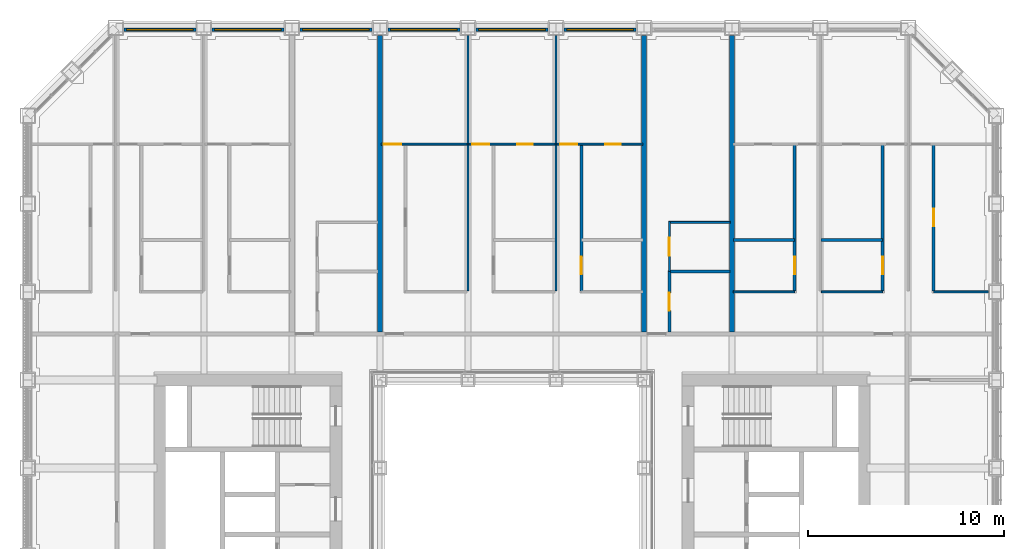
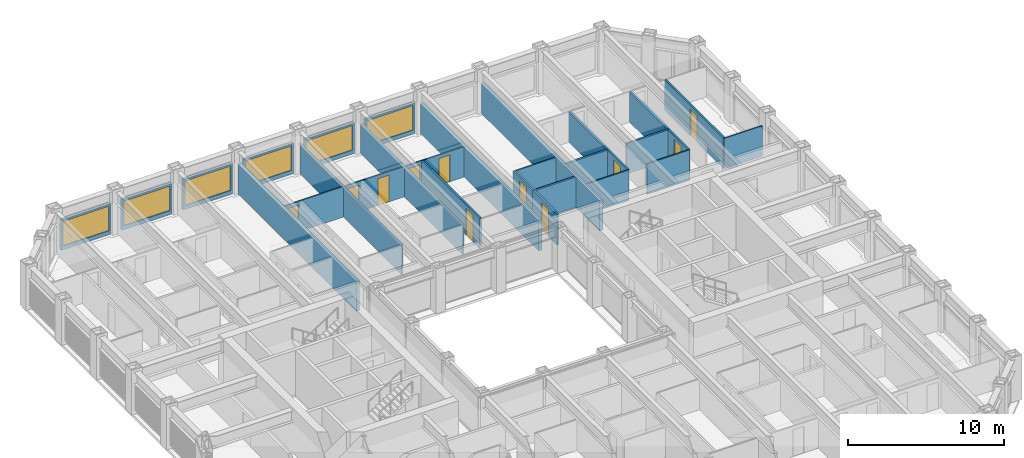
# One storey, part 14 of 20: 27 walls, 11 doors, 6 windows, 17 openings.
"""IFC4 building model written with IfcOpenShell, lengths in metres."""

from ifc_helpers import new_model, si_unit, direction, frame, frame_2d, origin, place, context, subcontext, project, spatial, rectangle, extrude, material, layer, layer_set, type_object, element, fill, save


model = new_model("IFC4")

# Units and contexts
model_context = context("Model", 3, precision=1e-05, world=origin(), true_north=direction((0.0, 1.0)))
body_context = subcontext(model_context, "Body", "Model", "MODEL_VIEW")
ifc_project = project(units=[si_unit("LENGTHUNIT", "METRE"), si_unit("AREAUNIT", "SQUARE_METRE"), si_unit("VOLUMEUNIT", "CUBIC_METRE"), si_unit("PLANEANGLEUNIT", "RADIAN"), si_unit("MASSUNIT", "GRAM", prefix="KILO")], contexts=[model_context])

# Site, building, storey
site_placement = place(None, origin())
site = spatial("IfcSite", under=ifc_project, at=site_placement, CompositionType="ELEMENT")
building_placement = place(site_placement, origin())
building = spatial("IfcBuilding", under=site, at=building_placement, Name="Msasa Ring Tower", CompositionType="ELEMENT")
storey_placement = place(building_placement, frame((0.0, 0.0, 61.5)))
storey = spatial("IfcBuildingStorey", under=building, at=storey_placement, Name="L15", CompositionType="ELEMENT", Elevation=61.5)

# Wall, opening, window
ifc_material_1 = material(Name="Terracotta rainscreen on blockwork", Category="masonry")
ifc_layer_1 = layer(ifc_material_1, 0.199951171875)
ifc_layer_set_1 = layer_set([ifc_layer_1], Name="FW1 TERRACOTTA-LINED INFILL BAY WALL 200")
wall_type_1 = type_object("IfcWallType", Name="FW1 TERRACOTTA-LINED INFILL BAY WALL 200", PredefinedType="SOLIDWALL", material=ifc_layer_set_1)
wall_1_placement = place(storey_placement, frame((-19.844970703125, 24.64990234375, 0.0), z_axis=(0.0, 0.0, 1.0), x_axis=(1.0, 0.0, 0.0)))
wall_1 = element("IfcWall", 1, at=wall_1_placement, inside=storey, type_object=wall_type_1, Name="Infill bay wall N L15 22", PredefinedType="SOLIDWALL", context=body_context, shape_type="SweptSolid", body=[
    extrude(rectangle(XDim=3.68994140625, YDim=0.199951171875, at=frame_2d((1.844970703125, 0.0))), origin(), (0.0, 0.0, 1.0), 2.37890625),
])
opening_1_placement = place(wall_1_placement, frame((0.14501953125, 0.0, 0.300048828125)))
opening_1 = element("IfcOpeningElement", 2, at=opening_1_placement, cuts=wall_1, Name="Opening WN1", PredefinedType="OPENING", context=body_context, shape_type="SweptSolid", body=[
    extrude(rectangle(XDim=3.39990234375, YDim=1.928955078125, at=frame_2d((1.699951171875, 0.96435546875))), frame((0.0, 0.10986328125, 0.0), z_axis=(0.0, -1.0, 0.0), x_axis=(1.0, 0.0, 0.0)), (0.0, 0.0, 1.0), 0.219970703125),
])
ifc_material_2 = material(Name="Aluminium frame with clear glass", Category="aluminium")
window_type = type_object("IfcWindowType", Name="WN1 RESIDENCE WINDOW 3400x1929", PartitioningType="SINGLE_PANEL", PredefinedType="WINDOW", material=ifc_material_2)
window_1_placement = place(opening_1_placement, origin())
window_1 = element("IfcWindow", 3, at=window_1_placement, inside=storey, type_object=window_type, Name="Window N L15 22", OverallHeight=1.928955078125, OverallWidth=3.39990234375, PartitioningType="SINGLE_PANEL", PredefinedType="WINDOW", context=body_context, shape_type="SweptSolid", body=[
    extrude(rectangle(XDim=3.39990234375, YDim=1.928955078125, at=frame_2d((1.699951171875, 0.96435546875))), frame((0.0, 0.030029296875, 0.0), z_axis=(0.0, -1.0, 0.0), x_axis=(1.0, 0.0, 0.0)), (0.0, 0.0, 1.0), 0.06005859375),
])
fill(opening_1, window_1)

wall_2_placement = place(storey_placement, frame((-15.344970703125, 24.64990234375, 0.0), z_axis=(0.0, 0.0, 1.0), x_axis=(1.0, 0.0, 0.0)))
wall_2 = element("IfcWall", 4, at=wall_2_placement, inside=storey, type_object=wall_type_1, Name="Infill bay wall N L15 23", PredefinedType="SOLIDWALL", context=body_context, shape_type="SweptSolid", body=[
    extrude(rectangle(XDim=3.68994140625, YDim=0.199951171875, at=frame_2d((1.844970703125, 0.0))), origin(), (0.0, 0.0, 1.0), 2.37890625),
])
opening_2_placement = place(wall_2_placement, frame((0.14501953125, 0.0, 0.300048828125)))
opening_2 = element("IfcOpeningElement", 5, at=opening_2_placement, cuts=wall_2, Name="Opening WN1", PredefinedType="OPENING", context=body_context, shape_type="SweptSolid", body=[
    extrude(rectangle(XDim=3.39990234375, YDim=1.928955078125, at=frame_2d((1.699951171875, 0.96435546875))), frame((0.0, 0.10986328125, 0.0), z_axis=(0.0, -1.0, 0.0), x_axis=(1.0, 0.0, 0.0)), (0.0, 0.0, 1.0), 0.219970703125),
])
window_2_placement = place(opening_2_placement, origin())
window_2 = element("IfcWindow", 6, at=window_2_placement, inside=storey, type_object=window_type, Name="Window N L15 23", OverallHeight=1.928955078125, OverallWidth=3.39990234375, PartitioningType="SINGLE_PANEL", PredefinedType="WINDOW", context=body_context, shape_type="SweptSolid", body=[
    extrude(rectangle(XDim=3.39990234375, YDim=1.928955078125, at=frame_2d((1.699951171875, 0.96435546875))), frame((0.0, 0.030029296875, 0.0), z_axis=(0.0, -1.0, 0.0), x_axis=(1.0, 0.0, 0.0)), (0.0, 0.0, 1.0), 0.06005859375),
])
fill(opening_2, window_2)

wall_3_placement = place(storey_placement, frame((-10.844970703125, 24.64990234375, 0.0), z_axis=(0.0, 0.0, 1.0), x_axis=(1.0, 0.0, 0.0)))
wall_3 = element("IfcWall", 7, at=wall_3_placement, inside=storey, type_object=wall_type_1, Name="Infill bay wall N L15 24", PredefinedType="SOLIDWALL", context=body_context, shape_type="SweptSolid", body=[
    extrude(rectangle(XDim=3.68994140625, YDim=0.199951171875, at=frame_2d((1.844970703125, 0.0))), origin(), (0.0, 0.0, 1.0), 2.37890625),
])
opening_3_placement = place(wall_3_placement, frame((0.14501953125, 0.0, 0.300048828125)))
opening_3 = element("IfcOpeningElement", 8, at=opening_3_placement, cuts=wall_3, Name="Opening WN1", PredefinedType="OPENING", context=body_context, shape_type="SweptSolid", body=[
    extrude(rectangle(XDim=3.39990234375, YDim=1.928955078125, at=frame_2d((1.699951171875, 0.96435546875))), frame((0.0, 0.10986328125, 0.0), z_axis=(0.0, -1.0, 0.0), x_axis=(1.0, 0.0, 0.0)), (0.0, 0.0, 1.0), 0.219970703125),
])
window_3_placement = place(opening_3_placement, origin())
window_3 = element("IfcWindow", 9, at=window_3_placement, inside=storey, type_object=window_type, Name="Window N L15 24", OverallHeight=1.928955078125, OverallWidth=3.39990234375, PartitioningType="SINGLE_PANEL", PredefinedType="WINDOW", context=body_context, shape_type="SweptSolid", body=[
    extrude(rectangle(XDim=3.39990234375, YDim=1.928955078125, at=frame_2d((1.699951171875, 0.96435546875))), frame((0.0, 0.030029296875, 0.0), z_axis=(0.0, -1.0, 0.0), x_axis=(1.0, 0.0, 0.0)), (0.0, 0.0, 1.0), 0.06005859375),
])
fill(opening_3, window_3)

wall_4_placement = place(storey_placement, frame((-6.344970703125, 24.64990234375, 0.0), z_axis=(0.0, 0.0, 1.0), x_axis=(1.0, 0.0, 0.0)))
wall_4 = element("IfcWall", 10, at=wall_4_placement, inside=storey, type_object=wall_type_1, Name="Infill bay wall N L15 25", PredefinedType="SOLIDWALL", context=body_context, shape_type="SweptSolid", body=[
    extrude(rectangle(XDim=3.68994140625, YDim=0.199951171875, at=frame_2d((1.844970703125, 0.0))), origin(), (0.0, 0.0, 1.0), 2.37890625),
])
opening_4_placement = place(wall_4_placement, frame((0.14501953125, 0.0, 0.300048828125)))
opening_4 = element("IfcOpeningElement", 11, at=opening_4_placement, cuts=wall_4, Name="Opening WN1", PredefinedType="OPENING", context=body_context, shape_type="SweptSolid", body=[
    extrude(rectangle(XDim=3.39990234375, YDim=1.928955078125, at=frame_2d((1.699951171875, 0.96435546875))), frame((0.0, 0.10986328125, 0.0), z_axis=(0.0, -1.0, 0.0), x_axis=(1.0, 0.0, 0.0)), (0.0, 0.0, 1.0), 0.219970703125),
])
window_4_placement = place(opening_4_placement, origin())
window_4 = element("IfcWindow", 12, at=window_4_placement, inside=storey, type_object=window_type, Name="Window N L15 25", OverallHeight=1.928955078125, OverallWidth=3.39990234375, PartitioningType="SINGLE_PANEL", PredefinedType="WINDOW", context=body_context, shape_type="SweptSolid", body=[
    extrude(rectangle(XDim=3.39990234375, YDim=1.928955078125, at=frame_2d((1.699951171875, 0.96435546875))), frame((0.0, 0.030029296875, 0.0), z_axis=(0.0, -1.0, 0.0), x_axis=(1.0, 0.0, 0.0)), (0.0, 0.0, 1.0), 0.06005859375),
])
fill(opening_4, window_4)

wall_5_placement = place(storey_placement, frame((-1.844970703125, 24.64990234375, 0.0), z_axis=(0.0, 0.0, 1.0), x_axis=(1.0, 0.0, 0.0)))
wall_5 = element("IfcWall", 13, at=wall_5_placement, inside=storey, type_object=wall_type_1, Name="Infill bay wall N L15 26", PredefinedType="SOLIDWALL", context=body_context, shape_type="SweptSolid", body=[
    extrude(rectangle(XDim=3.68994140625, YDim=0.199951171875, at=frame_2d((1.844970703125, 0.0))), origin(), (0.0, 0.0, 1.0), 2.37890625),
])
opening_5_placement = place(wall_5_placement, frame((0.14501953125, 0.0, 0.300048828125)))
opening_5 = element("IfcOpeningElement", 14, at=opening_5_placement, cuts=wall_5, Name="Opening WN1", PredefinedType="OPENING", context=body_context, shape_type="SweptSolid", body=[
    extrude(rectangle(XDim=3.39990234375, YDim=1.928955078125, at=frame_2d((1.699951171875, 0.96435546875))), frame((0.0, 0.10986328125, 0.0), z_axis=(0.0, -1.0, 0.0), x_axis=(1.0, 0.0, 0.0)), (0.0, 0.0, 1.0), 0.219970703125),
])
window_5_placement = place(opening_5_placement, origin())
window_5 = element("IfcWindow", 15, at=window_5_placement, inside=storey, type_object=window_type, Name="Window N L15 26", OverallHeight=1.928955078125, OverallWidth=3.39990234375, PartitioningType="SINGLE_PANEL", PredefinedType="WINDOW", context=body_context, shape_type="SweptSolid", body=[
    extrude(rectangle(XDim=3.39990234375, YDim=1.928955078125, at=frame_2d((1.699951171875, 0.96435546875))), frame((0.0, 0.030029296875, 0.0), z_axis=(0.0, -1.0, 0.0), x_axis=(1.0, 0.0, 0.0)), (0.0, 0.0, 1.0), 0.06005859375),
])
fill(opening_5, window_5)

wall_6_placement = place(storey_placement, frame((2.655029296875, 24.64990234375, 0.0), z_axis=(0.0, 0.0, 1.0), x_axis=(1.0, 0.0, 0.0)))
wall_6 = element("IfcWall", 16, at=wall_6_placement, inside=storey, type_object=wall_type_1, Name="Infill bay wall N L15 27", PredefinedType="SOLIDWALL", context=body_context, shape_type="SweptSolid", body=[
    extrude(rectangle(XDim=3.68994140625, YDim=0.199951171875, at=frame_2d((1.844970703125, 0.0))), origin(), (0.0, 0.0, 1.0), 2.37890625),
])
opening_6_placement = place(wall_6_placement, frame((0.14501953125, 0.0, 0.300048828125)))
opening_6 = element("IfcOpeningElement", 17, at=opening_6_placement, cuts=wall_6, Name="Opening WN1", PredefinedType="OPENING", context=body_context, shape_type="SweptSolid", body=[
    extrude(rectangle(XDim=3.39990234375, YDim=1.928955078125, at=frame_2d((1.699951171875, 0.96435546875))), frame((0.0, 0.10986328125, 0.0), z_axis=(0.0, -1.0, 0.0), x_axis=(1.0, 0.0, 0.0)), (0.0, 0.0, 1.0), 0.219970703125),
])
window_6_placement = place(opening_6_placement, origin())
window_6 = element("IfcWindow", 18, at=window_6_placement, inside=storey, type_object=window_type, Name="Window N L15 27", OverallHeight=1.928955078125, OverallWidth=3.39990234375, PartitioningType="SINGLE_PANEL", PredefinedType="WINDOW", context=body_context, shape_type="SweptSolid", body=[
    extrude(rectangle(XDim=3.39990234375, YDim=1.928955078125, at=frame_2d((1.699951171875, 0.96435546875))), frame((0.0, 0.030029296875, 0.0), z_axis=(0.0, -1.0, 0.0), x_axis=(1.0, 0.0, 0.0)), (0.0, 0.0, 1.0), 0.06005859375),
])
fill(opening_6, window_6)

# Wall, opening, door
ifc_material_3 = material(Name="Gypsum board on steel studs", Category="steel")
ifc_layer_2 = layer(ifc_material_3, 0.10009765625)
ifc_layer_set_2 = layer_set([ifc_layer_2], Name="PT2 STUD PARTITION 100")
wall_type_2 = type_object("IfcWallType", Name="PT2 STUD PARTITION 100", PredefinedType="PARTITIONING", material=ifc_layer_set_2)
wall_7_placement = place(storey_placement, frame((-6.68994140625, 18.800048828125, 0.0), z_axis=(0.0, 0.0, 1.0), x_axis=(1.0, 0.0, 0.0)))
wall_7 = element("IfcWall", 19, at=wall_7_placement, inside=storey, type_object=wall_type_2, Name="Partition L15-UN02SY0", PredefinedType="PARTITIONING", context=body_context, shape_type="SweptSolid", body=[
    extrude(rectangle(XDim=4.389892578125, YDim=0.10009765625, at=frame_2d((2.19482421875, 0.0))), origin(), (0.0, 0.0, 1.0), 2.373291015625),
])
opening_7_placement = place(wall_7_placement, frame((0.139892578125, 0.0, 0.0)))
opening_7 = element("IfcOpeningElement", 20, at=opening_7_placement, cuts=wall_7, Name="Opening RD-006", PredefinedType="OPENING", context=body_context, shape_type="SweptSolid", body=[
    extrude(rectangle(XDim=0.89990234375, YDim=2.10009765625, at=frame_2d((0.449951171875, 1.050048828125))), frame((0.0, 0.06005859375, 0.0), z_axis=(0.0, -1.0, 0.0), x_axis=(1.0, 0.0, 0.0)), (0.0, 0.0, 1.0), 0.1201171875),
])
ifc_material_4 = material(Name="Timber door leaf in a steel frame", Category="steel")
door_type_1 = type_object("IfcDoorType", Name="D22 INTERNAL HALL DOOR 900x2100", OperationType="SINGLE_SWING_LEFT", PredefinedType="DOOR", material=ifc_material_4)
door_1_placement = place(opening_7_placement, origin())
door_1 = element("IfcDoor", 21, at=door_1_placement, inside=storey, type_object=door_type_1, Name="Door L15-UN02L", OperationType="SINGLE_SWING_LEFT", OverallHeight=2.10009765625, OverallWidth=0.89990234375, PredefinedType="DOOR", context=body_context, shape_type="SweptSolid", body=[
    extrude(rectangle(XDim=0.89990234375, YDim=2.10009765625, at=frame_2d((0.449951171875, 1.050048828125))), frame((0.0, 0.02490234375, 0.0), z_axis=(0.0, -1.0, 0.0), x_axis=(1.0, 0.0, 0.0)), (0.0, 0.0, 1.0), 0.050048828125),
])
fill(opening_7, door_1)

# Wall
wall_8_placement = place(storey_placement, frame((-2.25, 11.300048828125, 0.0), z_axis=(0.0, 0.0, 1.0), x_axis=(0.0, 1.0, 0.0)))
element("IfcWall", 22, at=wall_8_placement, inside=storey, type_object=wall_type_2, Name="Partition L15-UN02P1", PredefinedType="PARTITIONING", context=body_context, shape_type="SweptSolid", body=[
    extrude(rectangle(XDim=13.050048828125, YDim=0.10009765625, at=frame_2d((6.52490234375, 0.0))), origin(), (0.0, 0.0, 1.0), 2.373291015625),
])

# Wall, openings, doors
wall_9_placement = place(storey_placement, frame((-2.199951171875, 18.800048828125, 0.0), z_axis=(0.0, 0.0, 1.0), x_axis=(1.0, 0.0, 0.0)))
wall_9 = element("IfcWall", 23, at=wall_9_placement, inside=storey, type_object=wall_type_2, Name="Partition L15-UN02SY1", PredefinedType="PARTITIONING", context=body_context, shape_type="SweptSolid", body=[
    extrude(rectangle(XDim=4.39990234375, YDim=0.10009765625, at=frame_2d((2.199951171875, 0.0))), origin(), (0.0, 0.0, 1.0), 2.373291015625),
])
opening_8_placement = place(wall_9_placement, frame((0.175048828125, 0.0, 0.0)))
opening_8 = element("IfcOpeningElement", 24, at=opening_8_placement, cuts=wall_9, Name="Opening RD-007", PredefinedType="OPENING", context=body_context, shape_type="SweptSolid", body=[
    extrude(rectangle(XDim=0.85009765625, YDim=2.10009765625, at=frame_2d((0.425048828125, 1.050048828125))), frame((0.0, 0.06005859375, 0.0), z_axis=(0.0, -1.0, 0.0), x_axis=(1.0, 0.0, 0.0)), (0.0, 0.0, 1.0), 0.1201171875),
])
opening_9_placement = place(wall_9_placement, frame((2.4599609375, 0.0, 0.0)))
opening_9 = element("IfcOpeningElement", 25, at=opening_9_placement, cuts=wall_9, Name="Opening RD-008", PredefinedType="OPENING", context=body_context, shape_type="SweptSolid", body=[
    extrude(rectangle(XDim=0.800048828125, YDim=2.10009765625, at=frame_2d((0.39990234375, 1.050048828125))), frame((0.0, 0.06005859375, 0.0), z_axis=(0.0, -1.0, 0.0), x_axis=(1.0, 0.0, 0.0)), (0.0, 0.0, 1.0), 0.1201171875),
])
ifc_material_5 = material(Name="Timber door leaf in a steel frame", Category="steel")
door_type_2 = type_object("IfcDoorType", Name="D14 BEDROOM DOOR 850x2100", OperationType="SINGLE_SWING_LEFT", PredefinedType="DOOR", material=ifc_material_5)
door_2_placement = place(opening_8_placement, origin())
door_2 = element("IfcDoor", 26, at=door_2_placement, inside=storey, type_object=door_type_2, Name="Door L15-UN02R1", OperationType="SINGLE_SWING_LEFT", OverallHeight=2.10009765625, OverallWidth=0.85009765625, PredefinedType="DOOR", context=body_context, shape_type="SweptSolid", body=[
    extrude(rectangle(XDim=0.85009765625, YDim=2.10009765625, at=frame_2d((0.425048828125, 1.050048828125))), frame((0.0, 0.02490234375, 0.0), z_axis=(0.0, -1.0, 0.0), x_axis=(1.0, 0.0, 0.0)), (0.0, 0.0, 1.0), 0.050048828125),
])
fill(opening_8, door_2)
ifc_material_6 = material(Name="Timber door leaf in a steel frame", Category="steel")
door_type_3 = type_object("IfcDoorType", Name="D60 DRESSING ROOM DOOR 800x2100", OperationType="SINGLE_SWING_LEFT", PredefinedType="DOOR", material=ifc_material_6)
door_3_placement = place(opening_9_placement, origin())
door_3 = element("IfcDoor", 27, at=door_3_placement, inside=storey, type_object=door_type_3, Name="Door L15-UN02W1", OperationType="SINGLE_SWING_RIGHT", OverallHeight=2.10009765625, OverallWidth=0.800048828125, PredefinedType="DOOR", context=body_context, shape_type="SweptSolid", body=[
    extrude(rectangle(XDim=0.800048828125, YDim=2.10009765625, at=frame_2d((0.39990234375, 1.050048828125))), frame((0.0, 0.02490234375, 0.0), z_axis=(0.0, -1.0, 0.0), x_axis=(1.0, 0.0, 0.0)), (0.0, 0.0, 1.0), 0.050048828125),
])
fill(opening_9, door_3)

# Wall
wall_10_placement = place(storey_placement, frame((2.25, 11.300048828125, 0.0), z_axis=(0.0, 0.0, 1.0), x_axis=(0.0, 1.0, 0.0)))
element("IfcWall", 28, at=wall_10_placement, inside=storey, type_object=wall_type_2, Name="Partition L15-UN02P2", PredefinedType="PARTITIONING", context=body_context, shape_type="SweptSolid", body=[
    extrude(rectangle(XDim=13.050048828125, YDim=0.10009765625, at=frame_2d((6.52490234375, 0.0))), origin(), (0.0, 0.0, 1.0), 2.373291015625),
])

# Wall, openings, doors
wall_11_placement = place(storey_placement, frame((2.300048828125, 18.800048828125, 0.0), z_axis=(0.0, 0.0, 1.0), x_axis=(1.0, 0.0, 0.0)))
wall_11 = element("IfcWall", 29, at=wall_11_placement, inside=storey, type_object=wall_type_2, Name="Partition L15-UN02SY2", PredefinedType="PARTITIONING", context=body_context, shape_type="SweptSolid", body=[
    extrude(rectangle(XDim=4.389892578125, YDim=0.10009765625, at=frame_2d((2.19482421875, 0.0))), origin(), (0.0, 0.0, 1.0), 2.373291015625),
])
opening_10_placement = place(wall_11_placement, frame((0.175048828125, 0.0, 0.0)))
opening_10 = element("IfcOpeningElement", 30, at=opening_10_placement, cuts=wall_11, Name="Opening RD-009", PredefinedType="OPENING", context=body_context, shape_type="SweptSolid", body=[
    extrude(rectangle(XDim=0.85009765625, YDim=2.10009765625, at=frame_2d((0.425048828125, 1.050048828125))), frame((0.0, 0.06005859375, 0.0), z_axis=(0.0, -1.0, 0.0), x_axis=(1.0, 0.0, 0.0)), (0.0, 0.0, 1.0), 0.1201171875),
])
opening_11_placement = place(wall_11_placement, frame((2.4599609375, 0.0, 0.0)))
opening_11 = element("IfcOpeningElement", 31, at=opening_11_placement, cuts=wall_11, Name="Opening RD-010", PredefinedType="OPENING", context=body_context, shape_type="SweptSolid", body=[
    extrude(rectangle(XDim=0.800048828125, YDim=2.10009765625, at=frame_2d((0.39990234375, 1.050048828125))), frame((0.0, 0.06005859375, 0.0), z_axis=(0.0, -1.0, 0.0), x_axis=(1.0, 0.0, 0.0)), (0.0, 0.0, 1.0), 0.1201171875),
])
door_4_placement = place(opening_10_placement, origin())
door_4 = element("IfcDoor", 32, at=door_4_placement, inside=storey, type_object=door_type_2, Name="Door L15-UN02R2", OperationType="SINGLE_SWING_LEFT", OverallHeight=2.10009765625, OverallWidth=0.85009765625, PredefinedType="DOOR", context=body_context, shape_type="SweptSolid", body=[
    extrude(rectangle(XDim=0.85009765625, YDim=2.10009765625, at=frame_2d((0.425048828125, 1.050048828125))), frame((0.0, 0.02490234375, 0.0), z_axis=(0.0, -1.0, 0.0), x_axis=(1.0, 0.0, 0.0)), (0.0, 0.0, 1.0), 0.050048828125),
])
fill(opening_10, door_4)
door_5_placement = place(opening_11_placement, origin())
door_5 = element("IfcDoor", 33, at=door_5_placement, inside=storey, type_object=door_type_3, Name="Door L15-UN02W2", OperationType="SINGLE_SWING_RIGHT", OverallHeight=2.10009765625, OverallWidth=0.800048828125, PredefinedType="DOOR", context=body_context, shape_type="SweptSolid", body=[
    extrude(rectangle(XDim=0.800048828125, YDim=2.10009765625, at=frame_2d((0.39990234375, 1.050048828125))), frame((0.0, 0.02490234375, 0.0), z_axis=(0.0, -1.0, 0.0), x_axis=(1.0, 0.0, 0.0)), (0.0, 0.0, 1.0), 0.050048828125),
])
fill(opening_11, door_5)

# Wall
wall_12_placement = place(storey_placement, frame((8.10009765625, 14.800048828125, 0.0), z_axis=(0.0, 0.0, 1.0), x_axis=(1.0, 0.0, 0.0)))
element("IfcWall", 34, at=wall_12_placement, inside=storey, type_object=wall_type_2, Name="Partition L15-UN03KY", PredefinedType="PARTITIONING", context=body_context, shape_type="SweptSolid", body=[
    extrude(rectangle(XDim=3.0498046875, YDim=0.10009765625, at=frame_2d((1.52490234375, 0.0))), origin(), (0.0, 0.0, 1.0), 2.373291015625),
])

# Wall, opening, door
wall_13_placement = place(storey_placement, frame((8.050048828125, 12.300048828125, 0.0), z_axis=(0.0, 0.0, 1.0), x_axis=(0.0, 1.0, 0.0)))
wall_13 = element("IfcWall", 35, at=wall_13_placement, inside=storey, type_object=wall_type_2, Name="Partition L15-UN03KX", PredefinedType="PARTITIONING", context=body_context, shape_type="SweptSolid", body=[
    extrude(rectangle(XDim=2.550048828125, YDim=0.10009765625, at=frame_2d((1.27490234375, 0.0))), origin(), (0.0, 0.0, 1.0), 2.373291015625),
])
opening_12_placement = place(wall_13_placement, frame((0.81005859375, 0.0, 0.0)))
opening_12 = element("IfcOpeningElement", 36, at=opening_12_placement, cuts=wall_13, Name="Opening RD-020", PredefinedType="OPENING", context=body_context, shape_type="SweptSolid", body=[
    extrude(rectangle(XDim=0.89990234375, YDim=2.10009765625, at=frame_2d((0.449951171875, 1.050048828125))), frame((0.0, 0.06005859375, 0.0), z_axis=(0.0, -1.0, 0.0), x_axis=(1.0, 0.0, 0.0)), (0.0, 0.0, 1.0), 0.1201171875),
])
door_6_placement = place(opening_12_placement, origin())
door_6 = element("IfcDoor", 37, at=door_6_placement, inside=storey, type_object=door_type_1, Name="Door L15-UN03K", OperationType="SINGLE_SWING_LEFT", OverallHeight=2.10009765625, OverallWidth=0.89990234375, PredefinedType="DOOR", context=body_context, shape_type="SweptSolid", body=[
    extrude(rectangle(XDim=0.89990234375, YDim=2.10009765625, at=frame_2d((0.449951171875, 1.050048828125))), frame((0.0, 0.02490234375, 0.0), z_axis=(0.0, -1.0, 0.0), x_axis=(1.0, 0.0, 0.0)), (0.0, 0.0, 1.0), 0.050048828125),
])
fill(opening_12, door_6)

# Walls
wall_14_placement = place(storey_placement, frame((21.550048828125, 11.25, 0.0), z_axis=(0.0, 0.0, 1.0), x_axis=(1.0, 0.0, 0.0)))
element("IfcWall", 38, at=wall_14_placement, inside=storey, type_object=wall_type_2, Name="Partition L15-UN04HY0", PredefinedType="PARTITIONING", context=body_context, shape_type="SweptSolid", body=[
    extrude(rectangle(XDim=2.800048828125, YDim=0.10009765625, at=frame_2d((1.39990234375, 0.0))), origin(), (0.0, 0.0, 1.0), 2.373291015625),
])
for number, where, z_axis, x_axis, name in (
    (39, (15.81005859375, 11.25, 0.0), (0.0, 0.0, 1.0), (1.0, 0.0, 0.0), "Partition L15-UN04HY1"),
    (40, (11.31005859375, 11.25, 0.0), (0.0, 0.0, 1.0), (1.0, 0.0, 0.0), "Partition L15-UN04HY2"),
):
    element("IfcWall", number, at=place(storey_placement, frame(where, z_axis=z_axis, x_axis=x_axis)), inside=storey, type_object=wall_type_2, Name=name, PredefinedType="PARTITIONING", context=body_context, shape_type="SweptSolid", body=[
        extrude(rectangle(XDim=3.139892578125, YDim=0.10009765625, at=frame_2d((1.56982421875, 0.0))), origin(), (0.0, 0.0, 1.0), 2.373291015625),
    ])
ifc_material_7 = material(Name="Dense concrete blockwork, plastered both faces", Category="masonry")
ifc_layer_3 = layer(ifc_material_7, 0.25)
ifc_layer_set_3 = layer_set([ifc_layer_3], Name="PT3 APARTMENT SEPARATING WALL 250")
wall_type_3 = type_object("IfcWallType", Name="PT3 APARTMENT SEPARATING WALL 250", PredefinedType="PARTITIONING", material=ifc_layer_set_3)
for number, where, z_axis, x_axis, name in (
    (41, (-6.75, 9.199951171875, 0.0), (0.0, 0.0, 1.0), (0.0, 1.0, 0.0), "Party wall L15-PWN-6.75"),
    (42, (6.75, 9.199951171875, 0.0), (0.0, 0.0, 1.0), (0.0, 1.0, 0.0), "Party wall L15-PWN+6.75"),
    (43, (11.25, 9.199951171875, 0.0), (0.0, 0.0, 1.0), (0.0, 1.0, 0.0), "Party wall L15-PWN+11.25"),
):
    element("IfcWall", number, at=place(storey_placement, frame(where, z_axis=z_axis, x_axis=x_axis)), inside=storey, type_object=wall_type_3, Name=name, PredefinedType="PARTITIONING", context=body_context, shape_type="SweptSolid", body=[
        extrude(rectangle(XDim=15.150146484375, YDim=0.25, at=frame_2d((7.5751953125, 0.0))), origin(), (0.0, 0.0, 1.0), 2.373291015625),
    ])

# Wall, opening, door
ifc_material_8 = material(Name="Moisture-resistant board on steel studs with a concealed cistern and pipe void, tiled", Category="steel")
ifc_layer_4 = layer(ifc_material_8, 0.14990234375)
ifc_layer_set_4 = layer_set([ifc_layer_4], Name="PT4 BATHROOM WET WALL 150")
wall_type_4 = type_object("IfcWallType", Name="PT4 BATHROOM WET WALL 150", PredefinedType="PARTITIONING", material=ifc_layer_set_4)
wall_15_placement = place(storey_placement, frame((3.550048828125, 11.300048828125, 0.0), z_axis=(0.0, 0.0, 1.0), x_axis=(0.0, 1.0, 0.0)))
wall_15 = element("IfcWall", 44, at=wall_15_placement, inside=storey, type_object=wall_type_4, Name="Partition L15-UN02SX2", PredefinedType="PARTITIONING", context=body_context, shape_type="SweptSolid", body=[
    extrude(rectangle(XDim=7.5, YDim=0.14990234375, at=frame_2d((3.75, 0.0))), origin(), (0.0, 0.0, 1.0), 2.373291015625),
])
opening_13_placement = place(wall_15_placement, frame((0.85009765625, 0.0, 0.0)))
opening_13 = element("IfcOpeningElement", 45, at=opening_13_placement, cuts=wall_15, Name="Opening RD-024", PredefinedType="OPENING", context=body_context, shape_type="SweptSolid", body=[
    extrude(rectangle(XDim=0.89990234375, YDim=2.10009765625, at=frame_2d((0.449951171875, 1.050048828125))), frame((0.0, 0.0849609375, 0.0), z_axis=(0.0, -1.0, 0.0), x_axis=(1.0, 0.0, 0.0)), (0.0, 0.0, 1.0), 0.169921875),
])
ifc_material_9 = material(Name="Timber door leaf in a steel frame", Category="steel")
door_type_4 = type_object("IfcDoorType", Name="D3 BATHROOM DOOR 900x2100", OperationType="SINGLE_SWING_LEFT", PredefinedType="DOOR", material=ifc_material_9)
door_7_placement = place(opening_13_placement, origin())
door_7 = element("IfcDoor", 46, at=door_7_placement, inside=storey, type_object=door_type_4, Name="Door L15-UN02B2", OperationType="SINGLE_SWING_LEFT", OverallHeight=2.10009765625, OverallWidth=0.89990234375, PredefinedType="DOOR", context=body_context, shape_type="SweptSolid", body=[
    extrude(rectangle(XDim=0.89990234375, YDim=2.10009765625, at=frame_2d((0.449951171875, 1.050048828125))), frame((0.0, 0.02490234375, 0.0), z_axis=(0.0, -1.0, 0.0), x_axis=(1.0, 0.0, 0.0)), (0.0, 0.0, 1.0), 0.050048828125),
])
fill(opening_13, door_7)

wall_16_placement = place(storey_placement, frame((8.050048828125, 9.199951171875, 0.0), z_axis=(0.0, 0.0, 1.0), x_axis=(0.0, 1.0, 0.0)))
wall_16 = element("IfcWall", 47, at=wall_16_placement, inside=storey, type_object=wall_type_4, Name="Partition L15-UN03BX", PredefinedType="PARTITIONING", context=body_context, shape_type="SweptSolid", body=[
    extrude(rectangle(XDim=3.150146484375, YDim=0.14990234375, at=frame_2d((1.5751953125, 0.0))), origin(), (0.0, 0.0, 1.0), 2.373291015625),
])
opening_14_placement = place(wall_16_placement, frame((1.10009765625, 0.0, 0.0)))
opening_14 = element("IfcOpeningElement", 48, at=opening_14_placement, cuts=wall_16, Name="Opening RD-028", PredefinedType="OPENING", context=body_context, shape_type="SweptSolid", body=[
    extrude(rectangle(XDim=0.89990234375, YDim=2.10009765625, at=frame_2d((0.449951171875, 1.050048828125))), frame((0.0, 0.0849609375, 0.0), z_axis=(0.0, -1.0, 0.0), x_axis=(1.0, 0.0, 0.0)), (0.0, 0.0, 1.0), 0.169921875),
])
door_8_placement = place(opening_14_placement, origin())
door_8 = element("IfcDoor", 49, at=door_8_placement, inside=storey, type_object=door_type_4, Name="Door L15-UN03B", OperationType="SINGLE_SWING_LEFT", OverallHeight=2.10009765625, OverallWidth=0.89990234375, PredefinedType="DOOR", context=body_context, shape_type="SweptSolid", body=[
    extrude(rectangle(XDim=0.89990234375, YDim=2.10009765625, at=frame_2d((0.449951171875, 1.050048828125))), frame((0.0, 0.02490234375, 0.0), z_axis=(0.0, -1.0, 0.0), x_axis=(1.0, 0.0, 0.0)), (0.0, 0.0, 1.0), 0.050048828125),
])
fill(opening_14, door_8)

# Wall
wall_17_placement = place(storey_placement, frame((8.10009765625, 12.300048828125, 0.0), z_axis=(0.0, 0.0, 1.0), x_axis=(1.0, 0.0, 0.0)))
element("IfcWall", 50, at=wall_17_placement, inside=storey, type_object=wall_type_4, Name="Partition L15-UN03BY", PredefinedType="PARTITIONING", context=body_context, shape_type="SweptSolid", body=[
    extrude(rectangle(XDim=3.0498046875, YDim=0.14990234375, at=frame_2d((1.52490234375, 0.0))), origin(), (0.0, 0.0, 1.0), 2.373291015625),
])

# Wall, opening, door
wall_18_placement = place(storey_placement, frame((21.550048828125, 11.300048828125, 0.0), z_axis=(0.0, 0.0, 1.0), x_axis=(0.0, 1.0, 0.0)))
wall_18 = element("IfcWall", 51, at=wall_18_placement, inside=storey, type_object=wall_type_4, Name="Partition L15-UN04SX0", PredefinedType="PARTITIONING", context=body_context, shape_type="SweptSolid", body=[
    extrude(rectangle(XDim=7.5, YDim=0.14990234375, at=frame_2d((3.75, 0.0))), origin(), (0.0, 0.0, 1.0), 2.373291015625),
])
opening_15_placement = place(wall_18_placement, frame((3.300048828125, 0.0, 0.0)))
opening_15 = element("IfcOpeningElement", 52, at=opening_15_placement, cuts=wall_18, Name="Opening RD-018", PredefinedType="OPENING", context=body_context, shape_type="SweptSolid", body=[
    extrude(rectangle(XDim=0.89990234375, YDim=2.10009765625, at=frame_2d((0.449951171875, 1.050048828125))), frame((0.0, 0.0849609375, 0.0), z_axis=(0.0, -1.0, 0.0), x_axis=(1.0, 0.0, 0.0)), (0.0, 0.0, 1.0), 0.169921875),
])
door_9_placement = place(opening_15_placement, origin())
door_9 = element("IfcDoor", 53, at=door_9_placement, inside=storey, type_object=door_type_1, Name="Door L15-UN04K", OperationType="SINGLE_SWING_LEFT", OverallHeight=2.10009765625, OverallWidth=0.89990234375, PredefinedType="DOOR", context=body_context, shape_type="SweptSolid", body=[
    extrude(rectangle(XDim=0.89990234375, YDim=2.10009765625, at=frame_2d((0.449951171875, 1.050048828125))), frame((0.0, 0.02490234375, 0.0), z_axis=(0.0, -1.0, 0.0), x_axis=(1.0, 0.0, 0.0)), (0.0, 0.0, 1.0), 0.050048828125),
])
fill(opening_15, door_9)

wall_19_placement = place(storey_placement, frame((18.949951171875, 11.300048828125, 0.0), z_axis=(0.0, 0.0, 1.0), x_axis=(0.0, 1.0, 0.0)))
wall_19 = element("IfcWall", 54, at=wall_19_placement, inside=storey, type_object=wall_type_4, Name="Partition L15-UN04SX1", PredefinedType="PARTITIONING", context=body_context, shape_type="SweptSolid", body=[
    extrude(rectangle(XDim=7.5, YDim=0.14990234375, at=frame_2d((3.75, 0.0))), origin(), (0.0, 0.0, 1.0), 2.373291015625),
])
opening_16_placement = place(wall_19_placement, frame((0.85009765625, 0.0, 0.0)))
opening_16 = element("IfcOpeningElement", 55, at=opening_16_placement, cuts=wall_19, Name="Opening RD-026", PredefinedType="OPENING", context=body_context, shape_type="SweptSolid", body=[
    extrude(rectangle(XDim=0.89990234375, YDim=2.10009765625, at=frame_2d((0.449951171875, 1.050048828125))), frame((0.0, 0.0849609375, 0.0), z_axis=(0.0, -1.0, 0.0), x_axis=(1.0, 0.0, 0.0)), (0.0, 0.0, 1.0), 0.169921875),
])
door_10_placement = place(opening_16_placement, origin())
door_10 = element("IfcDoor", 56, at=door_10_placement, inside=storey, type_object=door_type_4, Name="Door L15-UN04B1", OperationType="SINGLE_SWING_LEFT", OverallHeight=2.10009765625, OverallWidth=0.89990234375, PredefinedType="DOOR", context=body_context, shape_type="SweptSolid", body=[
    extrude(rectangle(XDim=0.89990234375, YDim=2.10009765625, at=frame_2d((0.449951171875, 1.050048828125))), frame((0.0, 0.02490234375, 0.0), z_axis=(0.0, -1.0, 0.0), x_axis=(1.0, 0.0, 0.0)), (0.0, 0.0, 1.0), 0.050048828125),
])
fill(opening_16, door_10)

# Wall
wall_20_placement = place(storey_placement, frame((15.800048828125, 13.89990234375, 0.0), z_axis=(0.0, 0.0, 1.0), x_axis=(1.0, 0.0, 0.0)))
element("IfcWall", 57, at=wall_20_placement, inside=storey, type_object=wall_type_4, Name="Partition L15-UN04SB1", PredefinedType="PARTITIONING", context=body_context, shape_type="SweptSolid", body=[
    extrude(rectangle(XDim=3.14990234375, YDim=0.14990234375, at=frame_2d((1.574951171875, 0.0))), origin(), (0.0, 0.0, 1.0), 2.373291015625),
])

# Wall, opening, door
wall_21_placement = place(storey_placement, frame((14.449951171875, 11.300048828125, 0.0), z_axis=(0.0, 0.0, 1.0), x_axis=(0.0, 1.0, 0.0)))
wall_21 = element("IfcWall", 58, at=wall_21_placement, inside=storey, type_object=wall_type_4, Name="Partition L15-UN04SX2", PredefinedType="PARTITIONING", context=body_context, shape_type="SweptSolid", body=[
    extrude(rectangle(XDim=7.5, YDim=0.14990234375, at=frame_2d((3.75, 0.0))), origin(), (0.0, 0.0, 1.0), 2.373291015625),
])
opening_17_placement = place(wall_21_placement, frame((0.85009765625, 0.0, 0.0)))
opening_17 = element("IfcOpeningElement", 59, at=opening_17_placement, cuts=wall_21, Name="Opening RD-025", PredefinedType="OPENING", context=body_context, shape_type="SweptSolid", body=[
    extrude(rectangle(XDim=0.89990234375, YDim=2.10009765625, at=frame_2d((0.449951171875, 1.050048828125))), frame((0.0, 0.0849609375, 0.0), z_axis=(0.0, -1.0, 0.0), x_axis=(1.0, 0.0, 0.0)), (0.0, 0.0, 1.0), 0.169921875),
])
door_11_placement = place(opening_17_placement, origin())
door_11 = element("IfcDoor", 60, at=door_11_placement, inside=storey, type_object=door_type_4, Name="Door L15-UN04B2", OperationType="SINGLE_SWING_LEFT", OverallHeight=2.10009765625, OverallWidth=0.89990234375, PredefinedType="DOOR", context=body_context, shape_type="SweptSolid", body=[
    extrude(rectangle(XDim=0.89990234375, YDim=2.10009765625, at=frame_2d((0.449951171875, 1.050048828125))), frame((0.0, 0.02490234375, 0.0), z_axis=(0.0, -1.0, 0.0), x_axis=(1.0, 0.0, 0.0)), (0.0, 0.0, 1.0), 0.050048828125),
])
fill(opening_17, door_11)

# Wall
wall_22_placement = place(storey_placement, frame((11.31005859375, 13.89990234375, 0.0), z_axis=(0.0, 0.0, 1.0), x_axis=(1.0, 0.0, 0.0)))
element("IfcWall", 61, at=wall_22_placement, inside=storey, type_object=wall_type_4, Name="Partition L15-UN04SB2", PredefinedType="PARTITIONING", context=body_context, shape_type="SweptSolid", body=[
    extrude(rectangle(XDim=3.139892578125, YDim=0.14990234375, at=frame_2d((1.56982421875, 0.0))), origin(), (0.0, 0.0, 1.0), 2.373291015625),
])

save(model, "model.ifc")
